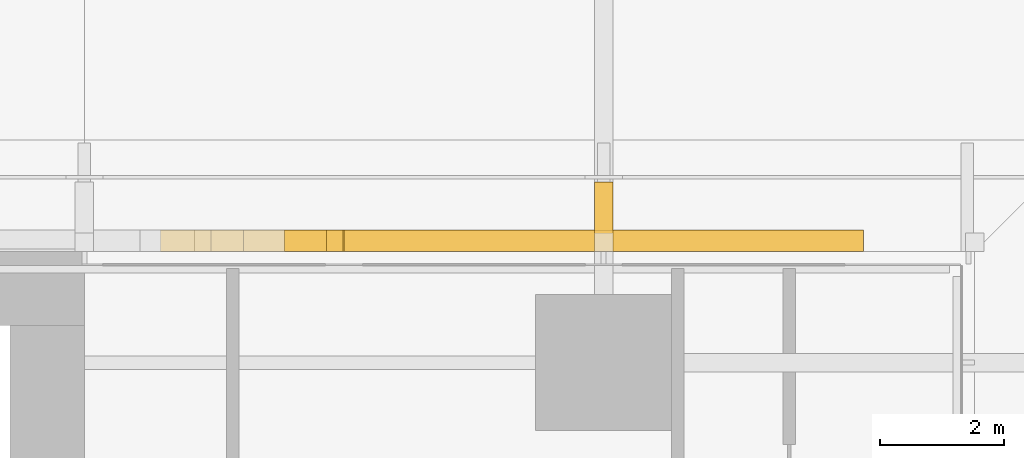
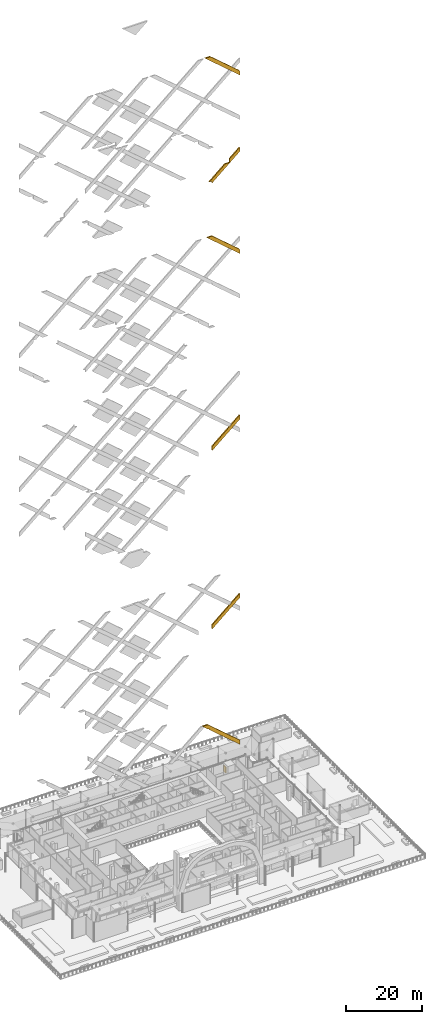
# One storey, part 57 of 60: 7 coverings.
"""IFC4 building model written with IfcOpenShell, lengths in metres."""

from ifc_helpers import new_model, si_unit, direction, frame, origin, origin_2d, place, context, subcontext, project, spatial, polyline, rectangle, outline, extrude, material, layer, layer_set, type_object, element, save


model = new_model("IFC4")

# Units and contexts
model_context = context("Model", 3, precision=1e-05, world=origin(), true_north=direction((0.0, 1.0)))
body_context = subcontext(model_context, "Body", "Model", "MODEL_VIEW")
ifc_project = project(units=[si_unit("LENGTHUNIT", "METRE"), si_unit("AREAUNIT", "SQUARE_METRE"), si_unit("VOLUMEUNIT", "CUBIC_METRE"), si_unit("PLANEANGLEUNIT", "RADIAN"), si_unit("MASSUNIT", "GRAM", prefix="KILO")], contexts=[model_context])

# Site, building, storey
site_placement = place(None, origin())
site = spatial("IfcSite", under=ifc_project, at=site_placement, CompositionType="ELEMENT")
building_placement = place(site_placement, origin())
building = spatial("IfcBuilding", under=site, at=building_placement, Name="Saffron Gate Tower", CompositionType="ELEMENT")
storey_placement = place(building_placement, frame((0.0, 0.0, 19.199951171875)))
storey = spatial("IfcBuildingStorey", under=building, at=storey_placement, Name="L03", CompositionType="ELEMENT", Elevation=19.199951171875)

# Coverings
ifc_material_1 = material(Name="Timber, thermally modified ash", Category="wood")
ifc_layer_1 = layer(ifc_material_1, 0.300048828125)
ifc_layer_set_1 = layer_set([ifc_layer_1], Name="LD3 ledge riser fin")
covering_type_1 = type_object("IfcCoveringType", Name="LD3 ledge riser fin", PredefinedType="CLADDING", material=ifc_layer_set_1)
covering_1_placement = place(storey_placement, frame((117.0, 76.159912109375, 0.27294921875), z_axis=(0.0, 0.0, 1.0), x_axis=(-1.0, 0.0, 0.0)))
element("IfcCovering", 1, at=covering_1_placement, inside=storey, type_object=covering_type_1, Name="LEDGE riser fin", PredefinedType="CLADDING", context=body_context, shape_type="SweptSolid", body=[
    extrude(rectangle(XDim=0.300048828125, YDim=1.1201171875, at=origin_2d()), origin(), (0.0, 0.0, 1.0), 1.864990234375),
])
ifc_material_2 = material(Name="Ceramic-printed bronze insulated panel")
ifc_layer_2 = layer(ifc_material_2, 0.35009765625)
ifc_layer_set_2 = layer_set([ifc_layer_2], Name="LZ1 lozenge lattice bar 1600")
covering_type_2 = type_object("IfcCoveringType", Name="LZ1 lozenge lattice bar 1600", PredefinedType="CLADDING", material=ifc_layer_set_2)
covering_2_placement = place(storey_placement, frame((121.199951171875, 75.949951171875, 224.05712890625), z_axis=(0.0, 1.0, 0.0), x_axis=(-0.759254121884, 0.0, 0.65079426734)))
element("IfcCovering", 2, at=covering_2_placement, inside=storey, type_object=covering_type_2, Name="CLADDING lozenge lattice bar", PredefinedType="CLADDING", context=body_context, shape_type="SweptSolid", body=[
    extrude(outline(polyline([(0.0, 0.0), (13.895280281063, 0.0), (12.6803995401389, 1.0413343818718603), (0.8926177231242162, 1.041379310728044), (0.0, 0.0)])), origin(), (0.0, 0.0, -1.0), 0.35009765625),
])
covering_3_placement = place(storey_placement, frame((121.199951171875, 75.949951171875, 166.457275390625), z_axis=(0.0, 1.0, 0.0), x_axis=(-0.759256602365, 0.0, 0.650791373456)))
element("IfcCovering", 3, at=covering_3_placement, inside=storey, type_object=covering_type_2, Name="CLADDING lozenge lattice bar", PredefinedType="CLADDING", context=body_context, shape_type="SweptSolid", body=[
    extrude(outline(polyline([(0.0, 0.0), (13.203576119746113, 0.0), (11.988876775190501, 1.041170866761954), (0.8924548693120546, 1.0411973475307303), (0.0, 0.0)])), origin(), (0.0, 0.0, -1.0), 0.35009765625),
])
covering_4_placement = place(storey_placement, frame((121.199951171875, 75.949951171875, 8.05712890625), z_axis=(0.0, 1.0, 0.0), x_axis=(-0.759258009307, 0.0, 0.650789732021)))
element("IfcCovering", 4, at=covering_4_placement, inside=storey, type_object=covering_type_2, Name="CLADDING lozenge lattice bar", PredefinedType="CLADDING", context=body_context, shape_type="SweptSolid", body=[
    extrude(outline(polyline([(0.0, 0.0), (12.24886496306868, 0.0), (12.438572712100148, 0.22132667556447494), (12.69660180120044, 0.00015985257301576183), (14.970849666272713, 5.884618464158109e-05), (13.755962705092166, 1.0413859711027635), (0.8926115025617956, 1.0413846426475906), (0.0, 0.0)])), origin(), (0.0, 0.0, -1.0), 0.35009765625),
])
covering_5_placement = place(storey_placement, frame((112.800048828125, 75.949951171875, 48.17138671875), z_axis=(0.0, 1.0, 0.0), x_axis=(0.0, 0.0, 1.0)))
element("IfcCovering", 5, at=covering_5_placement, inside=storey, type_object=covering_type_2, Name="CLADDING lozenge lattice bar", PredefinedType="CLADDING", context=body_context, shape_type="SweptSolid", body=[
    extrude(outline(polyline([(0.0, 0.0), (1.37158203125, 0.0), (8.571533203125, 8.39990234375), (7.2001953125, 8.39990234375), (0.0, 0.0)])), origin(), (0.0, 0.0, -1.0), 0.35009765625),
])
covering_6_placement = place(storey_placement, frame((112.800048828125, 75.949951171875, 105.771484375), z_axis=(0.0, 1.0, 0.0), x_axis=(0.0, 0.0, 1.0)))
element("IfcCovering", 6, at=covering_6_placement, inside=storey, type_object=covering_type_2, Name="CLADDING lozenge lattice bar", PredefinedType="CLADDING", context=body_context, shape_type="SweptSolid", body=[
    extrude(outline(polyline([(0.0, 0.0), (1.371337890625, 0.0), (8.571533203125, 8.39990234375), (7.199951171875, 8.39990234375), (0.0, 0.0)])), origin(), (0.0, 0.0, -1.0), 0.35009765625),
])
covering_7_placement = place(storey_placement, frame((112.800048828125, 75.949951171875, 192.17138671875), z_axis=(0.0, 1.0, 0.0), x_axis=(0.0, 0.0, 1.0)))
element("IfcCovering", 7, at=covering_7_placement, inside=storey, type_object=covering_type_2, Name="CLADDING lozenge lattice bar", PredefinedType="CLADDING", context=body_context, shape_type="SweptSolid", body=[
    extrude(outline(polyline([(0.0, 0.0), (0.548583984375, 0.0), (0.548583984375, -0.9599609375), (1.128662109375, -0.283447265625), (1.128662109375, 0.0), (1.37158203125, 0.0), (4.728759765625, 3.91650390625), (4.728759765625, 5.25), (5.87158203125, 5.25), (8.571533203125, 8.39990234375), (7.2001953125, 8.39990234375), (0.0, 0.0)])), origin(), (0.0, 0.0, -1.0), 0.35009765625),
])

save(model, "model.ifc")
